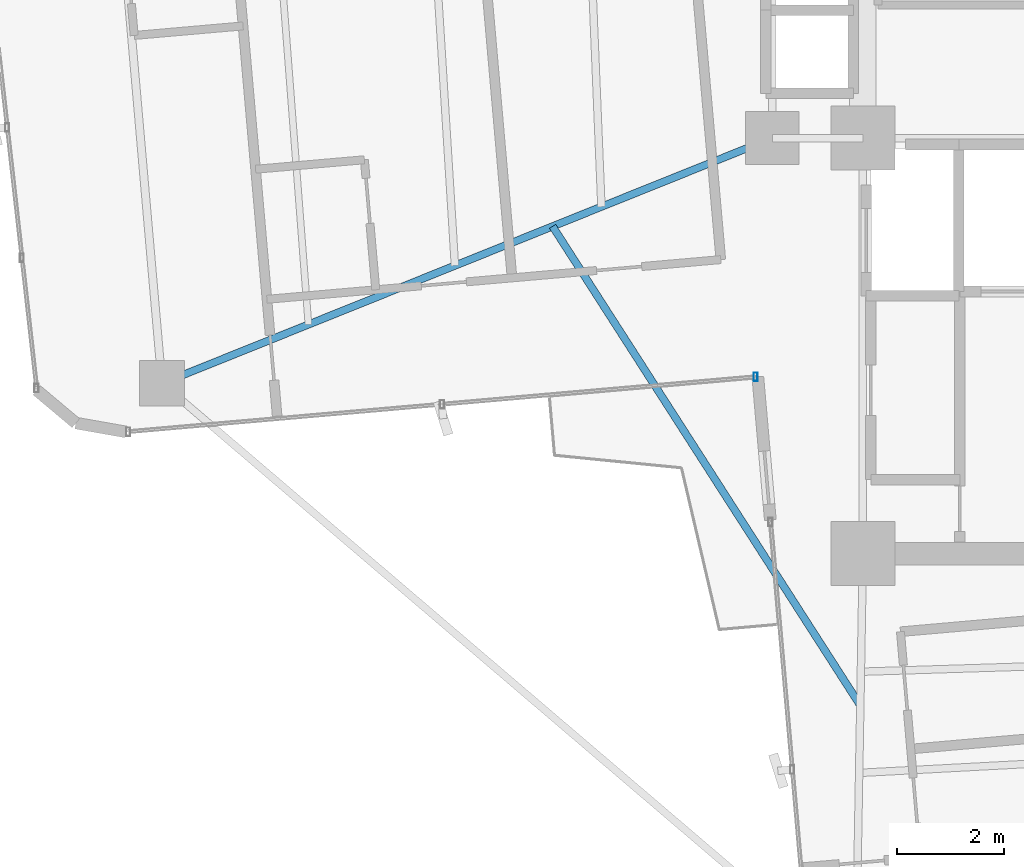
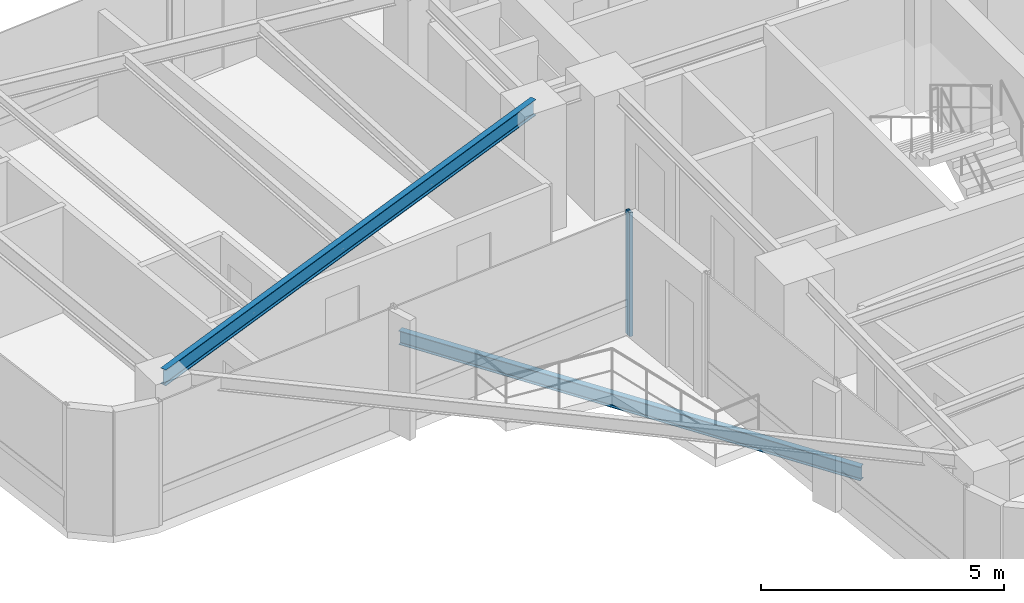
# One storey, part 5 of 24: 2 beams, 1 member, 1 element without a shape of its own.
"""IFC4 building model written with IfcOpenShell, lengths in metres."""

from ifc_helpers import new_model, si_unit, direction, frame, origin, origin_2d, place, context, subcontext, project, spatial, hollow_rectangle, i_section, extrude, source, transform, mapped, material, material_profile, profile_set, type_object, element, aggregate, save


model = new_model("IFC4")

# Units and contexts
model_context = context("Model", 3, precision=1e-05, world=origin(), true_north=direction((0.0, 1.0)))
body_context = subcontext(model_context, "Body", "Model", "MODEL_VIEW")
ifc_project = project(units=[si_unit("LENGTHUNIT", "METRE"), si_unit("AREAUNIT", "SQUARE_METRE"), si_unit("VOLUMEUNIT", "CUBIC_METRE"), si_unit("PLANEANGLEUNIT", "RADIAN"), si_unit("MASSUNIT", "GRAM", prefix="KILO")], contexts=[model_context])

# Site, building, storey
site_placement = place(None, origin())
site = spatial("IfcSite", under=ifc_project, at=site_placement, CompositionType="ELEMENT")
building_placement = place(site_placement, origin())
building = spatial("IfcBuilding", under=site, at=building_placement, Name="Sahyath Konkavel Grand Hotel", CompositionType="ELEMENT")
storey_placement = place(building_placement, frame((0.0, 0.0, 147.25)))
storey = spatial("IfcBuildingStorey", under=building, at=storey_placement, Name="L40", CompositionType="ELEMENT", Elevation=147.25)

# Beam
ifc_material_1 = material(Name="Steel E350", Category="steel")
ifc_material_profile_1 = material_profile(ifc_material_1, i_section(OverallWidth=0.139892578125, OverallDepth=0.39990234375, WebThickness=0.0087890625, FlangeThickness=0.01611328125, FilletRadius=0.013916015625, at=origin_2d()), Name="ISMB 400")
ifc_profile_set_1 = profile_set([ifc_material_profile_1], Name="Steel E350")
beam_type_1 = type_object("IfcBeamType", Name="BM-ISMB400", PredefinedType="BEAM", material=ifc_profile_set_1)
shared_shape_1 = source(origin(), body_context, "Body", "SweptSolid", [
    extrude(i_section(OverallWidth=0.139892578125, OverallDepth=0.39990234375, WebThickness=0.0087890625, FlangeThickness=0.01611328125, FilletRadius=0.013916015625, at=origin_2d()), origin(), (0.0, 0.0, 1.0), 12.344970703125),
])
beam_1_placement = place(storey_placement, frame((-5.5, -2.39990234375, 2.909912109375), z_axis=(-0.927837014101, -0.372985891507, 0.0), x_axis=(0.372985891507, -0.927837014101, 0.0)))
element("IfcBeam", 1, at=beam_1_placement, inside=storey, type_object=beam_type_1, Name="L40 Cruciform Radial Girder WB", PredefinedType="BEAM", context=body_context, shape_type="MappedRepresentation", body=[
    mapped(shared_shape_1, transform((0.0, 0.0, 0.0), scale=1.0)),
])

# Curtain wall, member
ifc_material_2 = material(Name="Anodised Bronze Aluminium & Low-E Glazing", Category="aluminium")
curtain_wall_type = type_object("IfcCurtainWallType", Name="CW-ZONE3", PredefinedType="NOTDEFINED", material=ifc_material_2)
curtain_wall_placement = place(storey_placement, origin())
curtain_wall = element("IfcCurtainWall", 2, at=curtain_wall_placement, inside=storey, type_object=curtain_wall_type, Name="L40 Unitised Curtain Wall F23", PredefinedType="NOTDEFINED")
ifc_material_3 = material(Name="Anodised Bronze Aluminium", Category="aluminium")
ifc_material_profile_2 = material_profile(ifc_material_3, hollow_rectangle(XDim=0.080078125, YDim=0.159912109375, WallThickness=0.006103515625, at=origin_2d()), Name="RHS 160x80x6")
ifc_profile_set_2 = profile_set([ifc_material_profile_2], Name="Anodised Bronze Aluminium")
member_type = type_object("IfcMemberType", Name="CW-MUL-160", PredefinedType="MULLION", material=ifc_profile_set_2)
shared_shape_2 = source(origin(), body_context, "Body", "SweptSolid", [
    extrude(hollow_rectangle(XDim=0.080078125, YDim=0.159912109375, WallThickness=0.006103515625, at=origin_2d()), origin(), (0.0, 0.0, 1.0), 3.110107421875),
])
member_placement = place(storey_placement, frame((-5.812255859375, -6.8828125, 0.0), z_axis=(0.0, 0.0, 1.0), x_axis=(1.0, 0.0, 0.0)))
member = element("IfcMember", 3, at=member_placement, type_object=member_type, Name="L40 Curtain Wall Mullion F23-2", PredefinedType="MULLION", context=body_context, shape_type="MappedRepresentation", body=[
    mapped(shared_shape_2, transform((0.0, 0.0, 0.0), scale=1.0)),
])
aggregate(curtain_wall, [member])

# Beam
ifc_material_profile_3 = material_profile(ifc_material_1, i_section(OverallWidth=0.139892578125, OverallDepth=0.35009765625, WebThickness=0.008056640625, FlangeThickness=0.01416015625, FilletRadius=0.013916015625, at=origin_2d()), Name="ISMB 350")
ifc_profile_set_3 = profile_set([ifc_material_profile_3], Name="Steel E350")
beam_type_2 = type_object("IfcBeamType", Name="BM-BALC-CANT", PredefinedType="BEAM", material=ifc_profile_set_3)
shared_shape_3 = source(origin(), body_context, "Body", "SweptSolid", [
    extrude(i_section(OverallWidth=0.139892578125, OverallDepth=0.35009765625, WebThickness=0.008056640625, FlangeThickness=0.01416015625, FilletRadius=0.013916015625, at=origin_2d()), origin(), (0.0, 0.0, 1.0), 10.685302734375),
])
beam_2_placement = place(storey_placement, frame((-9.62353515625, -4.0576171875, -0.4150390625), z_axis=(0.540404181048, -0.841405562797, 0.0), x_axis=(0.841405562797, 0.540404181048, 0.0)))
element("IfcBeam", 4, at=beam_2_placement, inside=storey, type_object=beam_type_2, Name="L40 Balcony Cantilever Support Beam SW", PredefinedType="BEAM", context=body_context, shape_type="MappedRepresentation", body=[
    mapped(shared_shape_3, transform((0.0, 0.0, 0.0), scale=1.0)),
])

save(model, "model.ifc")
